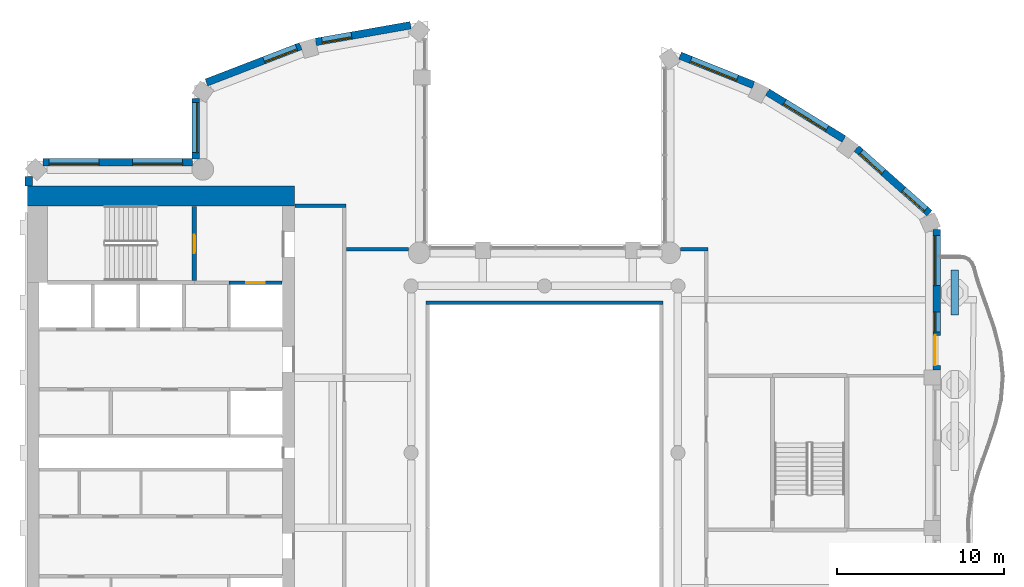
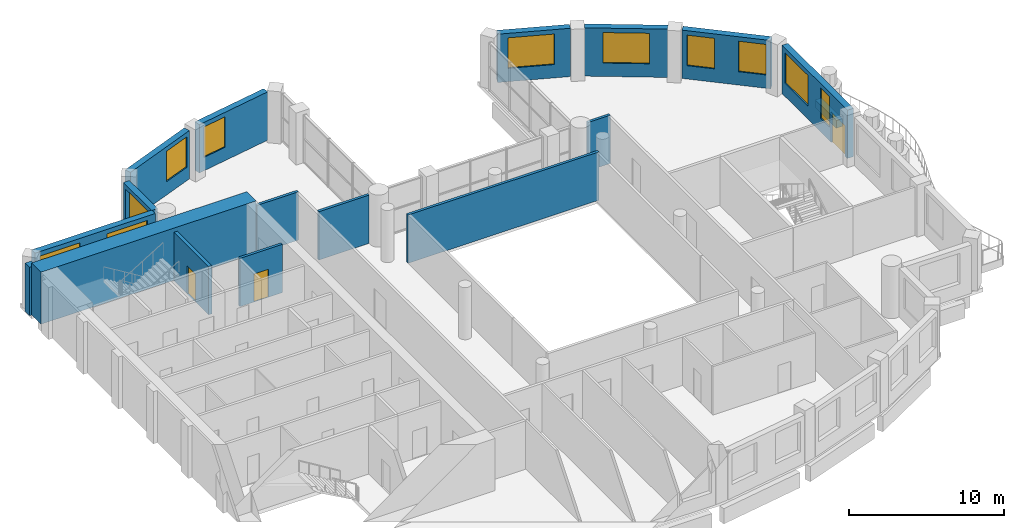
# One storey, part 7 of 14: 17 walls, 11 windows, 3 doors, 14 openings.
"""IFC4 building model written with IfcOpenShell, lengths in metres."""

import ifcopenshell
import ifcopenshell.guid

model = None  # the IFC model being written
_history = None  # IfcOwnerHistory: only IFC2X3 demands one
_inside = {}  # id of a spatial element -> (the spatial element, [elements in it])
_under = {}  # id of a project, library or spatial element -> (it, [spatial elements below it])
_declared = {}  # id of a project -> (the project, [libraries it declares])
_typed = {}  # id of a type object -> (the type object, [elements of that type])
_made_of = {}  # id of a material, layer set ... -> (it, [elements and type objects made of it])


def new_model(schema):
    """Start an empty IFC model of exactly this schema.

    Asked for "IFC4X3", IfcOpenShell would pick the latest addendum, in which some entities
    have other attributes; the version numbers below select the first issue.
    IFC2X3 requires an IfcOwnerHistory on every rooted entity: one is made here for all.
    """
    global model, _history
    if schema == "IFC4X3":
        model = ifcopenshell.file(schema_version=(4, 3, 0, 0))
    else:
        model = ifcopenshell.file(schema=schema)
    _inside.clear()
    _under.clear()
    _declared.clear()
    _typed.clear()
    _made_of.clear()
    _history = None
    if model.schema == "IFC2X3":
        org = make("IfcOrganization", Name="unknown")
        user = make(
            "IfcPersonAndOrganization",
            ThePerson=make("IfcPerson", FamilyName="unknown"),
            TheOrganization=org,
        )
        app = make(
            "IfcApplication",
            ApplicationDeveloper=org,
            Version="unknown",
            ApplicationFullName="unknown",
            ApplicationIdentifier="unknown",
        )
        _history = make(
            "IfcOwnerHistory",
            OwningUser=user,
            OwningApplication=app,
            ChangeAction="ADDED",
            CreationDate=0,
        )
    return model


def make(cls, **values):
    """One entity of the class cls with the attributes given. An attribute that is None is left unset."""
    return model.create_entity(
        cls, **{name: value for name, value in values.items() if value is not None}
    )


def rooted(cls, **values):
    """An entity with a GlobalId (a new one), such as an element, a storey or a relation."""
    return make(cls, GlobalId=ifcopenshell.guid.new(), OwnerHistory=_history, **values)


def si_unit(unit_type, name, prefix=None):
    """IfcSIUnit, for example si_unit("LENGTHUNIT", "METRE", prefix="MILLI")."""
    return make("IfcSIUnit", UnitType=unit_type, Prefix=prefix, Name=name)


def assignment(units):
    """IfcUnitAssignment: the units of a project."""
    return None if units is None else make("IfcUnitAssignment", Units=units)


def point(xyz):
    """IfcCartesianPoint."""
    return None if xyz is None else make("IfcCartesianPoint", Coordinates=xyz)


def direction(xyz):
    """IfcDirection."""
    return None if xyz is None else make("IfcDirection", DirectionRatios=xyz)


def frame(location, z_axis=None, x_axis=None):
    """IfcAxis2Placement3D, a coordinate frame: its origin and axes. An axis left out is left unset."""
    return make(
        "IfcAxis2Placement3D",
        Location=point(location),
        Axis=direction(z_axis),
        RefDirection=direction(x_axis),
    )


def frame_2d(location, x_axis=None):
    """IfcAxis2Placement2D, a coordinate frame in the plane: its origin and x axis."""
    return make(
        "IfcAxis2Placement2D", Location=point(location), RefDirection=direction(x_axis)
    )


def origin():
    """The frame at (0, 0, 0) with its axes left unset."""
    return frame((0.0, 0.0, 0.0))


def place(relative_to, where):
    """IfcLocalPlacement: puts the frame where relative to a parent placement (None: the world)."""
    return make(
        "IfcLocalPlacement", PlacementRelTo=relative_to, RelativePlacement=where
    )


def context(
    kind, dimensions, precision=None, world=None, true_north=None, identifier=None
):
    """IfcGeometricRepresentationContext, for example the 3D "Model" context."""
    return make(
        "IfcGeometricRepresentationContext",
        ContextIdentifier=identifier,
        ContextType=kind,
        CoordinateSpaceDimension=dimensions,
        Precision=precision,
        WorldCoordinateSystem=world,
        TrueNorth=true_north,
    )


def subcontext(parent, identifier, kind, view, scale=None):
    """IfcGeometricRepresentationSubContext, for example "Body" below "Model"."""
    return make(
        "IfcGeometricRepresentationSubContext",
        ContextIdentifier=identifier,
        ContextType=kind,
        ParentContext=parent,
        TargetScale=scale,
        TargetView=view,
    )


def project(units=None, contexts=None):
    """IfcProject with its units and contexts."""
    return rooted(
        "IfcProject",
        Name="project",
        RepresentationContexts=contexts,
        UnitsInContext=assignment(units),
    )


def spatial(cls, under=None, at=None, **own):
    """A site, building, storey or space (cls), placed at a placement, below another one or the project."""
    s = rooted(cls, ObjectPlacement=at, **own)
    if under is not None:
        _under.setdefault(under.id(), (under, []))[1].append(s)
    return s


def profile(cls, at=None, kind="AREA", **sizes):
    """A parametric profile (cls). Its sizes go by their IFC names, for example OverallWidth=200.0."""
    return make(cls, ProfileType=kind, Position=at, **sizes)


def rectangle(**sizes):
    """IfcRectangleProfileDef."""
    return profile("IfcRectangleProfileDef", **sizes)


def extrude(swept, where, along, depth):
    """IfcExtrudedAreaSolid: the profile swept, set in the frame where, extruded along a direction by depth."""
    return make(
        "IfcExtrudedAreaSolid",
        SweptArea=swept,
        Position=where,
        ExtrudedDirection=direction(along),
        Depth=depth,
    )


def shape(context_of_items, identifier, shape_type, items):
    """IfcShapeRepresentation: the items that make up one representation, for example the "Body"."""
    return make(
        "IfcShapeRepresentation",
        ContextOfItems=context_of_items,
        RepresentationIdentifier=identifier,
        RepresentationType=shape_type,
        Items=items,
    )


def material(Name=None, Category=None):
    """IfcMaterial."""
    return make("IfcMaterial", Name=Name, Category=Category)


def layer(
    of_material, thickness, ventilated=None, Name=None, Category=None, Priority=None
):
    """IfcMaterialLayer: one layer of a wall or slab, of a material (None: an air gap)."""
    return make(
        "IfcMaterialLayer",
        Material=of_material,
        LayerThickness=thickness,
        IsVentilated=ventilated,
        Name=Name,
        Category=Category,
        Priority=Priority,
    )


def layer_set(layers, Name=None):
    """IfcMaterialLayerSet."""
    return make("IfcMaterialLayerSet", MaterialLayers=layers, LayerSetName=Name)


def made_of(thing, what):
    """Note that an element or type object is made of a material, layer set ...; save() writes the relation."""
    if what is not None:
        _made_of.setdefault(what.id(), (what, []))[1].append(thing)
    return thing


def type_object(cls, material=None, **own):
    """A type object (cls), such as IfcWallType, which elements share."""
    return made_of(rooted(cls, **own), material)


def element(
    cls,
    number,
    at=None,
    inside=None,
    cuts=None,
    type_object=None,
    material=None,
    context=None,
    identifier="Body",
    shape_type=None,
    held_by="IfcProductDefinitionShape",
    body=None,
    shapes=None,
    **own,
):
    """One element of the class cls, such as IfcWall. Its Tag is "e" and its number.

    at: its placement. inside: the storey or other place that contains it. cuts: it is an
    opening in that element (IfcRelVoidsElement). A single representation is given by context,
    identifier, shape_type and body (its items); several are given by shapes. held_by: the class
    of the entity that holds the representations. save() writes the other relations.
    """
    e = rooted(cls, Tag="e%d" % number, ObjectPlacement=at, **own)
    if body is not None:
        shapes = [shape(context, identifier, shape_type, body)]
    if shapes is not None:
        e.Representation = make(held_by, Representations=shapes)
    if inside is not None:
        _inside.setdefault(inside.id(), (inside, []))[1].append(e)
    if cuts is not None:
        rooted(
            "IfcRelVoidsElement", RelatingBuildingElement=cuts, RelatedOpeningElement=e
        )
    if type_object is not None:
        _typed.setdefault(type_object.id(), (type_object, []))[1].append(e)
    return made_of(e, material)


def fill(opening, filler):
    """IfcRelFillsElement: the door or window that sits in an opening."""
    return rooted(
        "IfcRelFillsElement",
        RelatingOpeningElement=opening,
        RelatedBuildingElement=filler,
    )


def aggregate(whole, parts):
    """IfcRelAggregates: a whole, such as a stair, and the parts it consists of."""
    return rooted("IfcRelAggregates", RelatingObject=whole, RelatedObjects=parts)


def save(model, path):
    """Write the relations noted so far, then the file.

    IfcRelAggregates (storeys below a building ...), IfcRelContainedInSpatialStructure (elements
    in a storey), IfcRelDefinesByType, IfcRelAssociatesMaterial and IfcRelDeclares: one each for
    every whole, place, type object, material and project.
    """
    for whole, parts in _under.values():
        aggregate(whole, parts)
    for where, things in _inside.values():
        rooted(
            "IfcRelContainedInSpatialStructure",
            RelatedElements=things,
            RelatingStructure=where,
        )
    for kind, things in _typed.values():
        rooted("IfcRelDefinesByType", RelatedObjects=things, RelatingType=kind)
    for what, things in _made_of.values():
        rooted("IfcRelAssociatesMaterial", RelatedObjects=things, RelatingMaterial=what)
    for by, libraries in _declared.values():
        rooted("IfcRelDeclares", RelatingContext=by, RelatedDefinitions=libraries)
    model.write(path)


model = new_model("IFC4")

# Units and contexts
model_context = context("Model", 3, precision=1e-05, world=origin(), true_north=direction((0.0, 1.0)))
body_context = subcontext(model_context, "Body", "Model", "MODEL_VIEW")
ifc_project = project(units=[si_unit("LENGTHUNIT", "METRE"), si_unit("AREAUNIT", "SQUARE_METRE"), si_unit("VOLUMEUNIT", "CUBIC_METRE"), si_unit("PLANEANGLEUNIT", "RADIAN"), si_unit("MASSUNIT", "GRAM", prefix="KILO")], contexts=[model_context])

# Site, building, storey
site_placement = place(None, origin())
site = spatial("IfcSite", under=ifc_project, at=site_placement, CompositionType="ELEMENT")
building_placement = place(site_placement, origin())
building = spatial("IfcBuilding", under=site, at=building_placement, Name="Cypress Arch Tower", CompositionType="ELEMENT")
storey_placement = place(building_placement, frame((0.0, 0.0, 276.199951171875)))
storey = spatial("IfcBuildingStorey", under=building, at=storey_placement, Name="L62", CompositionType="ELEMENT", Elevation=276.199951171875)

# Wall
ifc_material_1 = material(Name="Concrete C40/50, waterproofed", Category="concrete")
ifc_layer_1 = layer(ifc_material_1, 0.449951171875)
ifc_layer_set_1 = layer_set([ifc_layer_1], Name="Balcony planter wall PW450")
wall_type_1 = type_object("IfcWallType", Name="Balcony planter wall PW450", PredefinedType="SOLIDWALL", material=ifc_layer_set_1)
wall_1_placement = place(storey_placement, frame((25.60009765625, 8.25, 0.0), z_axis=(0.0, 0.0, 1.0), x_axis=(0.0, 1.0, 0.0)))
element("IfcWall", 1, at=wall_1_placement, inside=storey, type_object=wall_type_1, Name="Balcony planter wall L62-C17.3", PredefinedType="SOLIDWALL", context=body_context, shape_type="SweptSolid", body=[
    extrude(rectangle(XDim=2.699951171875, YDim=0.449951171875, at=frame_2d((1.35009765625, 0.0))), origin(), (0.0, 0.0, 1.0), 0.60009765625),
])

# Wall, opening, window
ifc_material_2 = material(Name="Brick (red buff blend)", Category="masonry")
ifc_layer_2 = layer(ifc_material_2, 0.449951171875)
ifc_layer_set_2 = layer_set([ifc_layer_2], Name="Brick pier and spandrel wall BW450")
wall_type_2 = type_object("IfcWallType", Name="Brick pier and spandrel wall BW450", PredefinedType="SOLIDWALL", material=ifc_layer_set_2)
wall_2_placement = place(storey_placement, frame((-7.028564453125, 25.63232421875, 0.0), z_axis=(0.0, 0.0, 1.0), x_axis=(-0.984797606634, -0.173705710808, 0.0)))
wall_2 = element("IfcWall", 2, at=wall_2_placement, inside=storey, type_object=wall_type_2, Name="Brick wall L62 C03.0", PredefinedType="SOLIDWALL", context=body_context, shape_type="SweptSolid", body=[
    extrude(rectangle(XDim=5.772216796875, YDim=0.449951171875, at=frame_2d((2.88623046875, 0.0))), origin(), (0.0, 0.0, 1.0), 3.800048828125),
])
opening_1_placement = place(wall_2_placement, frame((3.59326171875, 0.0, 1.050048828125)))
opening_1 = element("IfcOpeningElement", 3, at=opening_1_placement, cuts=wall_2, Name="Opening W180O", PredefinedType="OPENING", context=body_context, shape_type="SweptSolid", body=[
    extrude(rectangle(XDim=1.800048828125, YDim=2.39990234375, at=frame_2d((0.89990234375, 1.199951171875))), frame((0.0, 0.23486328125, 0.0), z_axis=(0.0, -1.0, 0.0), x_axis=(1.0, 0.0, 0.0)), (0.0, 0.0, 1.0), 0.469970703125),
])
ifc_material_3 = material(Name="Anodised aluminium, bronze finish, clear low-emissivity double glazing", Category="aluminium")
window_type_1 = type_object("IfcWindowType", Name="Window Office 1800x2400", PartitioningType="SINGLE_PANEL", PredefinedType="WINDOW", material=ifc_material_3)
window_1_placement = place(opening_1_placement, origin())
window_1 = element("IfcWindow", 4, at=window_1_placement, inside=storey, type_object=window_type_1, Name="Window L62 C03.0.2", OverallHeight=2.39990234375, OverallWidth=1.800048828125, PartitioningType="SINGLE_PANEL", PredefinedType="WINDOW", context=body_context, shape_type="SweptSolid", body=[
    extrude(rectangle(XDim=1.800048828125, YDim=2.39990234375, at=frame_2d((0.89990234375, 1.199951171875))), frame((0.0, 0.135009765625, 0.0), z_axis=(0.0, -1.0, 0.0), x_axis=(1.0, 0.0, 0.0)), (0.0, 0.0, 1.0), 0.06005859375),
])
fill(opening_1, window_1)

wall_3_placement = place(storey_placement, frame((-13.6220703125, 24.376953125, 0.0), z_axis=(0.0, 0.0, 1.0), x_axis=(-0.933129259679, -0.359541075164, 0.0)))
wall_3 = element("IfcWall", 5, at=wall_3_placement, inside=storey, type_object=wall_type_2, Name="Brick wall L62 C04.0", PredefinedType="SOLIDWALL", context=body_context, shape_type="SweptSolid", body=[
    extrude(rectangle(XDim=6.05419921875, YDim=0.449951171875, at=frame_2d((3.027099609375, 0.0))), origin(), (0.0, 0.0, 1.0), 3.800048828125),
])
opening_2_placement = place(wall_3_placement, frame((0.260986328125, 0.0, 1.050048828125)))
opening_2 = element("IfcOpeningElement", 6, at=opening_2_placement, cuts=wall_3, Name="Opening W210O", PredefinedType="OPENING", context=body_context, shape_type="SweptSolid", body=[
    extrude(rectangle(XDim=2.10009765625, YDim=2.39990234375, at=frame_2d((1.050048828125, 1.199951171875))), frame((0.0, 0.23486328125, 0.0), z_axis=(0.0, -1.0, 0.0), x_axis=(1.0, 0.0, 0.0)), (0.0, 0.0, 1.0), 0.469970703125),
])
ifc_material_4 = material(Name="Anodised aluminium, bronze finish, clear low-emissivity double glazing", Category="aluminium")
window_type_2 = type_object("IfcWindowType", Name="Window Office 2100x2400", PartitioningType="SINGLE_PANEL", PredefinedType="WINDOW", material=ifc_material_4)
window_2_placement = place(opening_2_placement, origin())
window_2 = element("IfcWindow", 7, at=window_2_placement, inside=storey, type_object=window_type_2, Name="Window L62 C04.0.1", OverallHeight=2.39990234375, OverallWidth=2.10009765625, PartitioningType="SINGLE_PANEL", PredefinedType="WINDOW", context=body_context, shape_type="SweptSolid", body=[
    extrude(rectangle(XDim=2.10009765625, YDim=2.39990234375, at=frame_2d((1.050048828125, 1.199951171875))), frame((0.0, 0.135009765625, 0.0), z_axis=(0.0, -1.0, 0.0), x_axis=(1.0, 0.0, 0.0)), (0.0, 0.0, 1.0), 0.06005859375),
])
fill(opening_2, window_2)

wall_4_placement = place(storey_placement, frame((-19.925048828125, 21.248291015625, 0.0), z_axis=(0.0, 0.0, 1.0), x_axis=(0.0, -1.0, 0.0)))
wall_4 = element("IfcWall", 8, at=wall_4_placement, inside=storey, type_object=wall_type_2, Name="Brick wall L62 C05.0", PredefinedType="SOLIDWALL", context=body_context, shape_type="SweptSolid", body=[
    extrude(rectangle(XDim=3.646728515625, YDim=0.449951171875, at=frame_2d((1.8232421875, 0.0))), origin(), (0.0, 0.0, 1.0), 3.800048828125),
])
opening_3_placement = place(wall_4_placement, frame((0.251220703125, 0.0, 1.050048828125)))
opening_3 = element("IfcOpeningElement", 9, at=opening_3_placement, cuts=wall_4, Name="Opening W300O", PredefinedType="OPENING", context=body_context, shape_type="SweptSolid", body=[
    extrude(rectangle(XDim=3.0, YDim=2.39990234375, at=frame_2d((1.5, 1.199951171875))), frame((0.0, 0.23486328125, 0.0), z_axis=(0.0, -1.0, 0.0), x_axis=(1.0, 0.0, 0.0)), (0.0, 0.0, 1.0), 0.469970703125),
])
ifc_material_5 = material(Name="Anodised aluminium, bronze finish, clear low-emissivity double glazing", Category="aluminium")
window_type_3 = type_object("IfcWindowType", Name="Window Office 3000x2400", PartitioningType="SINGLE_PANEL", PredefinedType="WINDOW", material=ifc_material_5)
window_3_placement = place(opening_3_placement, origin())
window_3 = element("IfcWindow", 10, at=window_3_placement, inside=storey, type_object=window_type_3, Name="Window L62 C05.0.1", OverallHeight=2.39990234375, OverallWidth=3.0, PartitioningType="SINGLE_PANEL", PredefinedType="WINDOW", context=body_context, shape_type="SweptSolid", body=[
    extrude(rectangle(XDim=3.0, YDim=2.39990234375, at=frame_2d((1.5, 1.199951171875))), frame((0.0, 0.135009765625, 0.0), z_axis=(0.0, -1.0, 0.0), x_axis=(1.0, 0.0, 0.0)), (0.0, 0.0, 1.0), 0.06005859375),
])
fill(opening_3, window_3)

# Wall, openings, windows
wall_5_placement = place(storey_placement, frame((-20.1015625, 17.425048828125, 0.0), z_axis=(0.0, 0.0, 1.0), x_axis=(-1.0, 0.0, 0.0)))
wall_5 = element("IfcWall", 11, at=wall_5_placement, inside=storey, type_object=wall_type_2, Name="Brick wall L62 C06.0", PredefinedType="SOLIDWALL", context=body_context, shape_type="SweptSolid", body=[
    extrude(rectangle(XDim=8.962158203125, YDim=0.449951171875, at=frame_2d((4.48095703125, 0.0))), origin(), (0.0, 0.0, 1.0), 3.800048828125),
])
opening_4_placement = place(wall_5_placement, frame((0.598388671875, 0.0, 1.050048828125)))
opening_4 = element("IfcOpeningElement", 12, at=opening_4_placement, cuts=wall_5, Name="Opening W300O", PredefinedType="OPENING", context=body_context, shape_type="SweptSolid", body=[
    extrude(rectangle(XDim=3.0, YDim=2.39990234375, at=frame_2d((1.5, 1.199951171875))), frame((0.0, 0.23486328125, 0.0), z_axis=(0.0, -1.0, 0.0), x_axis=(1.0, 0.0, 0.0)), (0.0, 0.0, 1.0), 0.469970703125),
])
opening_5_placement = place(wall_5_placement, frame((5.598388671875, 0.0, 1.050048828125)))
opening_5 = element("IfcOpeningElement", 13, at=opening_5_placement, cuts=wall_5, Name="Opening W300O", PredefinedType="OPENING", context=body_context, shape_type="SweptSolid", body=[
    extrude(rectangle(XDim=3.0, YDim=2.39990234375, at=frame_2d((1.5, 1.199951171875))), frame((0.0, 0.23486328125, 0.0), z_axis=(0.0, -1.0, 0.0), x_axis=(1.0, 0.0, 0.0)), (0.0, 0.0, 1.0), 0.469970703125),
])
window_4_placement = place(opening_4_placement, origin())
window_4 = element("IfcWindow", 14, at=window_4_placement, inside=storey, type_object=window_type_3, Name="Window L62 C06.0.1", OverallHeight=2.39990234375, OverallWidth=3.0, PartitioningType="SINGLE_PANEL", PredefinedType="WINDOW", context=body_context, shape_type="SweptSolid", body=[
    extrude(rectangle(XDim=3.0, YDim=2.39990234375, at=frame_2d((1.5, 1.199951171875))), frame((0.0, 0.135009765625, 0.0), z_axis=(0.0, -1.0, 0.0), x_axis=(1.0, 0.0, 0.0)), (0.0, 0.0, 1.0), 0.06005859375),
])
fill(opening_4, window_4)
window_5_placement = place(opening_5_placement, origin())
window_5 = element("IfcWindow", 15, at=window_5_placement, inside=storey, type_object=window_type_3, Name="Window L62 C06.0.2", OverallHeight=2.39990234375, OverallWidth=3.0, PartitioningType="SINGLE_PANEL", PredefinedType="WINDOW", context=body_context, shape_type="SweptSolid", body=[
    extrude(rectangle(XDim=3.0, YDim=2.39990234375, at=frame_2d((1.5, 1.199951171875))), frame((0.0, 0.135009765625, 0.0), z_axis=(0.0, -1.0, 0.0), x_axis=(1.0, 0.0, 0.0)), (0.0, 0.0, 1.0), 0.06005859375),
])
fill(opening_5, window_5)

# Wall
wall_6_placement = place(storey_placement, frame((-29.925048828125, 16.563720703125, 0.0), z_axis=(0.0, 0.0, 1.0), x_axis=(0.0, -1.0, 0.0)))
element("IfcWall", 16, at=wall_6_placement, inside=storey, type_object=wall_type_2, Name="Brick wall L62 C07.0", PredefinedType="SOLIDWALL", context=body_context, shape_type="SweptSolid", body=[
    extrude(rectangle(XDim=0.563720703125, YDim=0.449951171875, at=frame_2d((0.28173828125, 0.0))), origin(), (0.0, 0.0, 1.0), 3.800048828125),
])

# Wall, openings, door, windows
wall_7_placement = place(storey_placement, frame((24.52490234375, 4.949951171875, 0.0), z_axis=(0.0, 0.0, 1.0), x_axis=(0.0, 1.0, 0.0)))
wall_7 = element("IfcWall", 17, at=wall_7_placement, inside=storey, type_object=wall_type_2, Name="Brick wall L62 C17.2", PredefinedType="SOLIDWALL", context=body_context, shape_type="SweptSolid", body=[
    extrude(rectangle(XDim=8.421875, YDim=0.449951171875, at=frame_2d((4.2109375, 0.0))), origin(), (0.0, 0.0, 1.0), 3.800048828125),
])
opening_6_placement = place(wall_7_placement, frame((0.291259765625, 0.0, 0.0)))
opening_6 = element("IfcOpeningElement", 18, at=opening_6_placement, cuts=wall_7, Name="Opening D-L62-C17.2.1", PredefinedType="OPENING", context=body_context, shape_type="SweptSolid", body=[
    extrude(rectangle(XDim=1.800048828125, YDim=2.39990234375, at=frame_2d((0.89990234375, 1.199951171875))), frame((0.0, 0.23486328125, 0.0), z_axis=(0.0, -1.0, 0.0), x_axis=(1.0, 0.0, 0.0)), (0.0, 0.0, 1.0), 0.469970703125),
])
opening_7_placement = place(wall_7_placement, frame((2.291259765625, 0.0, 1.050048828125)))
opening_7 = element("IfcOpeningElement", 19, at=opening_7_placement, cuts=wall_7, Name="Opening W120OD", PredefinedType="OPENING", context=body_context, shape_type="SweptSolid", body=[
    extrude(rectangle(XDim=1.199951171875, YDim=2.39990234375, at=frame_2d((0.60009765625, 1.199951171875))), frame((0.0, 0.23486328125, 0.0), z_axis=(0.0, -1.0, 0.0), x_axis=(1.0, 0.0, 0.0)), (0.0, 0.0, 1.0), 0.469970703125),
])
opening_8_placement = place(wall_7_placement, frame((5.073974609375, 0.0, 1.050048828125)))
opening_8 = element("IfcOpeningElement", 20, at=opening_8_placement, cuts=wall_7, Name="Opening W300OD", PredefinedType="OPENING", context=body_context, shape_type="SweptSolid", body=[
    extrude(rectangle(XDim=3.0, YDim=2.39990234375, at=frame_2d((1.5, 1.199951171875))), frame((0.0, 0.23486328125, 0.0), z_axis=(0.0, -1.0, 0.0), x_axis=(1.0, 0.0, 0.0)), (0.0, 0.0, 1.0), 0.469970703125),
])
ifc_material_6 = material(Name="Anodised aluminium, bronze finish, laminated low-emissivity double glazing, large-missile impact rated", Category="aluminium")
door_type_1 = type_object("IfcDoorType", Name="Balcony sliding door 1800x2400", OperationType="SLIDING_TO_LEFT", PredefinedType="DOOR", material=ifc_material_6)
door_1_placement = place(opening_6_placement, origin())
door_1 = element("IfcDoor", 21, at=door_1_placement, inside=storey, type_object=door_type_1, Name="Balcony door L62 C17.2.1", OperationType="SLIDING_TO_LEFT", OverallHeight=2.39990234375, OverallWidth=1.800048828125, PredefinedType="DOOR", context=body_context, shape_type="SweptSolid", body=[
    extrude(rectangle(XDim=1.800048828125, YDim=2.39990234375, at=frame_2d((0.89990234375, 1.199951171875))), frame((0.0, 0.1298828125, 0.0), z_axis=(0.0, -1.0, 0.0), x_axis=(1.0, 0.0, 0.0)), (0.0, 0.0, 1.0), 0.050048828125),
])
fill(opening_6, door_1)
ifc_material_7 = material(Name="Anodised aluminium, bronze finish, laminated low-emissivity double glazing, large-missile impact rated", Category="aluminium")
window_type_4 = type_object("IfcWindowType", Name="Window Office 1200x2400 debris-rated", PartitioningType="SINGLE_PANEL", PredefinedType="WINDOW", material=ifc_material_7)
window_6_placement = place(opening_7_placement, origin())
window_6 = element("IfcWindow", 22, at=window_6_placement, inside=storey, type_object=window_type_4, Name="Window L62 C17.2.1", OverallHeight=2.39990234375, OverallWidth=1.199951171875, PartitioningType="SINGLE_PANEL", PredefinedType="WINDOW", context=body_context, shape_type="SweptSolid", body=[
    extrude(rectangle(XDim=1.199951171875, YDim=2.39990234375, at=frame_2d((0.60009765625, 1.199951171875))), frame((0.0, 0.135009765625, 0.0), z_axis=(0.0, -1.0, 0.0), x_axis=(1.0, 0.0, 0.0)), (0.0, 0.0, 1.0), 0.06005859375),
])
fill(opening_7, window_6)
ifc_material_8 = material(Name="Anodised aluminium, bronze finish, laminated low-emissivity double glazing, large-missile impact rated", Category="aluminium")
window_type_5 = type_object("IfcWindowType", Name="Window Office 3000x2400 debris-rated", PartitioningType="SINGLE_PANEL", PredefinedType="WINDOW", material=ifc_material_8)
window_7_placement = place(opening_8_placement, origin())
window_7 = element("IfcWindow", 23, at=window_7_placement, inside=storey, type_object=window_type_5, Name="Window L62 C17.2.2", OverallHeight=2.39990234375, OverallWidth=3.0, PartitioningType="SINGLE_PANEL", PredefinedType="WINDOW", context=body_context, shape_type="SweptSolid", body=[
    extrude(rectangle(XDim=3.0, YDim=2.39990234375, at=frame_2d((1.5, 1.199951171875))), frame((0.0, 0.135009765625, 0.0), z_axis=(0.0, -1.0, 0.0), x_axis=(1.0, 0.0, 0.0)), (0.0, 0.0, 1.0), 0.06005859375),
])
fill(opening_8, window_7)

# Wall, openings, windows
wall_8_placement = place(storey_placement, frame((24.08056640625, 14.361083984375, 0.0), z_axis=(0.0, 0.0, 1.0), x_axis=(-0.747570482973, 0.664182484704, 0.0)))
wall_8 = element("IfcWall", 24, at=wall_8_placement, inside=storey, type_object=wall_type_2, Name="Brick wall L62 C18.0", PredefinedType="SOLIDWALL", context=body_context, shape_type="SweptSolid", body=[
    extrude(rectangle(XDim=5.849609375, YDim=0.449951171875, at=frame_2d((2.9248046875, 0.0))), origin(), (0.0, 0.0, 1.0), 3.800048828125),
])
opening_9_placement = place(wall_8_placement, frame((0.305419921875, 0.0, 1.050048828125)))
opening_9 = element("IfcOpeningElement", 25, at=opening_9_placement, cuts=wall_8, Name="Opening W180O", PredefinedType="OPENING", context=body_context, shape_type="SweptSolid", body=[
    extrude(rectangle(XDim=1.800048828125, YDim=2.39990234375, at=frame_2d((0.89990234375, 1.199951171875))), frame((0.0, 0.23486328125, 0.0), z_axis=(0.0, -1.0, 0.0), x_axis=(1.0, 0.0, 0.0)), (0.0, 0.0, 1.0), 0.469970703125),
])
opening_10_placement = place(wall_8_placement, frame((3.702880859375, 0.0, 1.050048828125)))
opening_10 = element("IfcOpeningElement", 26, at=opening_10_placement, cuts=wall_8, Name="Opening W180O", PredefinedType="OPENING", context=body_context, shape_type="SweptSolid", body=[
    extrude(rectangle(XDim=1.800048828125, YDim=2.39990234375, at=frame_2d((0.89990234375, 1.199951171875))), frame((0.0, 0.23486328125, 0.0), z_axis=(0.0, -1.0, 0.0), x_axis=(1.0, 0.0, 0.0)), (0.0, 0.0, 1.0), 0.469970703125),
])
window_8_placement = place(opening_9_placement, origin())
window_8 = element("IfcWindow", 27, at=window_8_placement, inside=storey, type_object=window_type_1, Name="Window L62 C18.0.1", OverallHeight=2.39990234375, OverallWidth=1.800048828125, PartitioningType="SINGLE_PANEL", PredefinedType="WINDOW", context=body_context, shape_type="SweptSolid", body=[
    extrude(rectangle(XDim=1.800048828125, YDim=2.39990234375, at=frame_2d((0.89990234375, 1.199951171875))), frame((0.0, 0.135009765625, 0.0), z_axis=(0.0, -1.0, 0.0), x_axis=(1.0, 0.0, 0.0)), (0.0, 0.0, 1.0), 0.06005859375),
])
fill(opening_9, window_8)
window_9_placement = place(opening_10_placement, origin())
window_9 = element("IfcWindow", 28, at=window_9_placement, inside=storey, type_object=window_type_1, Name="Window L62 C18.0.2", OverallHeight=2.39990234375, OverallWidth=1.800048828125, PartitioningType="SINGLE_PANEL", PredefinedType="WINDOW", context=body_context, shape_type="SweptSolid", body=[
    extrude(rectangle(XDim=1.800048828125, YDim=2.39990234375, at=frame_2d((0.89990234375, 1.199951171875))), frame((0.0, 0.135009765625, 0.0), z_axis=(0.0, -1.0, 0.0), x_axis=(1.0, 0.0, 0.0)), (0.0, 0.0, 1.0), 0.06005859375),
])
fill(opening_10, window_9)

# Wall, opening, window
wall_9_placement = place(storey_placement, frame((18.953369140625, 18.806396484375, 0.0), z_axis=(0.0, 0.0, 1.0), x_axis=(-0.851860664503, 0.523768468193, 0.0)))
wall_9 = element("IfcWall", 29, at=wall_9_placement, inside=storey, type_object=wall_type_2, Name="Brick wall L62 C19.0", PredefinedType="SOLIDWALL", context=body_context, shape_type="SweptSolid", body=[
    extrude(rectangle(XDim=5.3837890625, YDim=0.449951171875, at=frame_2d((2.69189453125, 0.0))), origin(), (0.0, 0.0, 1.0), 3.800048828125),
])
opening_11_placement = place(wall_9_placement, frame((1.19189453125, 0.0, 1.050048828125)))
opening_11 = element("IfcOpeningElement", 30, at=opening_11_placement, cuts=wall_9, Name="Opening W300O", PredefinedType="OPENING", context=body_context, shape_type="SweptSolid", body=[
    extrude(rectangle(XDim=3.0, YDim=2.39990234375, at=frame_2d((1.5, 1.199951171875))), frame((0.0, 0.23486328125, 0.0), z_axis=(0.0, -1.0, 0.0), x_axis=(1.0, 0.0, 0.0)), (0.0, 0.0, 1.0), 0.469970703125),
])
window_10_placement = place(opening_11_placement, origin())
window_10 = element("IfcWindow", 31, at=window_10_placement, inside=storey, type_object=window_type_3, Name="Window L62 C19.0.1", OverallHeight=2.39990234375, OverallWidth=3.0, PartitioningType="SINGLE_PANEL", PredefinedType="WINDOW", context=body_context, shape_type="SweptSolid", body=[
    extrude(rectangle(XDim=3.0, YDim=2.39990234375, at=frame_2d((1.5, 1.199951171875))), frame((0.0, 0.135009765625, 0.0), z_axis=(0.0, -1.0, 0.0), x_axis=(1.0, 0.0, 0.0)), (0.0, 0.0, 1.0), 0.06005859375),
])
fill(opening_11, window_10)

wall_10_placement = place(storey_placement, frame((13.529296875, 22.04833984375, 0.0), z_axis=(0.0, 0.0, 1.0), x_axis=(-0.927957332619, 0.372686448424, 0.0)))
wall_10 = element("IfcWall", 32, at=wall_10_placement, inside=storey, type_object=wall_type_2, Name="Brick wall L62 C20.0", PredefinedType="SOLIDWALL", context=body_context, shape_type="SweptSolid", body=[
    extrude(rectangle(XDim=4.741455078125, YDim=0.449951171875, at=frame_2d((2.37060546875, 0.0))), origin(), (0.0, 0.0, 1.0), 3.800048828125),
])
opening_12_placement = place(wall_10_placement, frame((1.046630859375, 0.0, 1.050048828125)))
opening_12 = element("IfcOpeningElement", 33, at=opening_12_placement, cuts=wall_10, Name="Opening W300O", PredefinedType="OPENING", context=body_context, shape_type="SweptSolid", body=[
    extrude(rectangle(XDim=3.0, YDim=2.39990234375, at=frame_2d((1.5, 1.199951171875))), frame((0.0, 0.23486328125, 0.0), z_axis=(0.0, -1.0, 0.0), x_axis=(1.0, 0.0, 0.0)), (0.0, 0.0, 1.0), 0.469970703125),
])
window_11_placement = place(opening_12_placement, origin())
window_11 = element("IfcWindow", 34, at=window_11_placement, inside=storey, type_object=window_type_3, Name="Window L62 C20.0.1", OverallHeight=2.39990234375, OverallWidth=3.0, PartitioningType="SINGLE_PANEL", PredefinedType="WINDOW", context=body_context, shape_type="SweptSolid", body=[
    extrude(rectangle(XDim=3.0, YDim=2.39990234375, at=frame_2d((1.5, 1.199951171875))), frame((0.0, 0.135009765625, 0.0), z_axis=(0.0, -1.0, 0.0), x_axis=(1.0, 0.0, 0.0)), (0.0, 0.0, 1.0), 0.06005859375),
])
fill(opening_12, window_11)

# Walls
ifc_material_9 = material(Name="Concrete C60/75", Category="concrete")
ifc_layer_3 = layer(ifc_material_9, 1.199951171875)
ifc_layer_set_3 = layer_set([ifc_layer_3], Name="Core wall CW1200 C60/75")
wall_type_3 = type_object("IfcWallType", Name="Core wall CW1200 C60/75", PredefinedType="SHEAR", material=ifc_layer_set_3)
wall_11_placement = place(storey_placement, frame((-30.0, 15.39990234375, 0.0), z_axis=(0.0, 0.0, 1.0), x_axis=(1.0, 0.0, 0.0)))
element("IfcWall", 35, at=wall_11_placement, inside=storey, type_object=wall_type_3, Name="Core wall", PredefinedType="SHEAR", context=body_context, shape_type="SweptSolid", body=[
    extrude(rectangle(XDim=16.0, YDim=1.199951171875, at=frame_2d((8.0, 0.0))), origin(), (0.0, 0.0, 1.0), 4.10009765625),
])
ifc_material_10 = material(Name="Concrete blockwork, plastered, rated", Category="masonry")
ifc_layer_4 = layer(ifc_material_10, 0.199951171875)
ifc_layer_set_4 = layer_set([ifc_layer_4], Name="Corridor wall FW200")
wall_type_4 = type_object("IfcWallType", Name="Corridor wall FW200", PredefinedType="PARTITIONING", material=ifc_layer_set_4)
wall_12_placement = place(storey_placement, frame((-13.969970703125, 14.800048828125, 0.0), z_axis=(0.0, 0.0, 1.0), x_axis=(1.0, 0.0, 0.0)))
element("IfcWall", 36, at=wall_12_placement, inside=storey, type_object=wall_type_4, Name="Corridor wall", PredefinedType="PARTITIONING", context=body_context, shape_type="SweptSolid", body=[
    extrude(rectangle(XDim=3.070068359375, YDim=0.199951171875, at=frame_2d((1.53515625, 0.0))), origin(), (0.0, 0.0, 1.0), 3.800048828125),
])
wall_13_placement = place(storey_placement, frame((-10.8798828125, 12.199951171875, 0.0), z_axis=(0.0, 0.0, 1.0), x_axis=(1.0, 0.0, 0.0)))
element("IfcWall", 37, at=wall_13_placement, inside=storey, type_object=wall_type_4, Name="Corridor wall", PredefinedType="PARTITIONING", context=body_context, shape_type="SweptSolid", body=[
    extrude(rectangle(XDim=3.736083984375, YDim=0.199951171875, at=frame_2d((1.8681640625, 0.0))), origin(), (0.0, 0.0, 1.0), 3.800048828125),
])
wall_14_placement = place(storey_placement, frame((-6.10009765625, 9.0, 0.0), z_axis=(0.0, 0.0, 1.0), x_axis=(1.0, 0.0, 0.0)))
element("IfcWall", 38, at=wall_14_placement, inside=storey, type_object=wall_type_4, Name="Corridor wall", PredefinedType="PARTITIONING", context=body_context, shape_type="SweptSolid", body=[
    extrude(rectangle(XDim=14.2001953125, YDim=0.199951171875, at=frame_2d((7.10009765625, 0.0))), origin(), (0.0, 0.0, 1.0), 3.800048828125),
])
wall_15_placement = place(storey_placement, frame((9.143798828125, 12.199951171875, 0.0), z_axis=(0.0, 0.0, 1.0), x_axis=(1.0, 0.0, 0.0)))
element("IfcWall", 39, at=wall_15_placement, inside=storey, type_object=wall_type_4, Name="Corridor wall", PredefinedType="PARTITIONING", context=body_context, shape_type="SweptSolid", body=[
    extrude(rectangle(XDim=1.65625, YDim=0.199951171875, at=frame_2d((0.828125, 0.0))), origin(), (0.0, 0.0, 1.0), 3.800048828125),
])

# Wall, opening, door
ifc_material_11 = material(Name="Concrete C50/60", Category="concrete")
ifc_layer_5 = layer(ifc_material_11, 0.199951171875)
ifc_layer_set_5 = layer_set([ifc_layer_5], Name="Shaft wall SH200")
wall_type_5 = type_object("IfcWallType", Name="Shaft wall SH200", PredefinedType="SHEAR", material=ifc_layer_set_5)
wall_16_placement = place(storey_placement, frame((-17.919921875, 10.199951171875, 0.0), z_axis=(0.0, 0.0, 1.0), x_axis=(1.0, 0.0, 0.0)))
wall_16 = element("IfcWall", 40, at=wall_16_placement, inside=storey, type_object=wall_type_5, Name="Shaft wall", PredefinedType="SHEAR", context=body_context, shape_type="SweptSolid", body=[
    extrude(rectangle(XDim=3.18994140625, YDim=0.199951171875, at=frame_2d((1.594970703125, 0.0))), origin(), (0.0, 0.0, 1.0), 3.800048828125),
])
opening_13_placement = place(wall_16_placement, frame((1.050048828125, 0.0, 0.0)))
opening_13 = element("IfcOpeningElement", 41, at=opening_13_placement, cuts=wall_16, Name="Opening LD-FL2", PredefinedType="OPENING", context=body_context, shape_type="SweptSolid", body=[
    extrude(rectangle(XDim=1.10009765625, YDim=2.199951171875, at=frame_2d((0.550048828125, 1.10009765625))), frame((0.0, 0.10986328125, 0.0), z_axis=(0.0, -1.0, 0.0), x_axis=(1.0, 0.0, 0.0)), (0.0, 0.0, 1.0), 0.219970703125),
])
ifc_material_12 = material(Name="Stainless steel centre-opening landing door, rated", Category="steel")
door_type_2 = type_object("IfcDoorType", Name="Lift landing door LD 1100x2200", OperationType="DOUBLE_DOOR_SLIDING", PredefinedType="DOOR", material=ifc_material_12)
door_2_placement = place(opening_13_placement, origin())
door_2 = element("IfcDoor", 42, at=door_2_placement, inside=storey, type_object=door_type_2, Name="Lift landing doors FL2", OperationType="DOUBLE_DOOR_SLIDING", OverallHeight=2.199951171875, OverallWidth=1.10009765625, PredefinedType="DOOR", context=body_context, shape_type="SweptSolid", body=[
    extrude(rectangle(XDim=1.10009765625, YDim=2.199951171875, at=frame_2d((0.550048828125, 1.10009765625))), frame((0.0, 0.02490234375, 0.0), z_axis=(0.0, -1.0, 0.0), x_axis=(1.0, 0.0, 0.0)), (0.0, 0.0, 1.0), 0.050048828125),
])
fill(opening_13, door_2)

ifc_material_13 = material(Name="Concrete C50/60", Category="concrete")
ifc_layer_6 = layer(ifc_material_13, 0.25)
ifc_layer_set_6 = layer_set([ifc_layer_6], Name="Stair enclosure wall SW250")
wall_type_6 = type_object("IfcWallType", Name="Stair enclosure wall SW250", PredefinedType="SHEAR", material=ifc_layer_set_6)
wall_17_placement = place(storey_placement, frame((-20.0, 10.324951171875, 0.0), z_axis=(0.0, 0.0, 1.0), x_axis=(0.0, 1.0, 0.0)))
wall_17 = element("IfcWall", 43, at=wall_17_placement, inside=storey, type_object=wall_type_6, Name="Stair enclosure wall", PredefinedType="SHEAR", context=body_context, shape_type="SweptSolid", body=[
    extrude(rectangle(XDim=4.445068359375, YDim=0.25, at=frame_2d((2.22265625, 0.0))), origin(), (0.0, 0.0, 1.0), 3.800048828125),
])
opening_14_placement = place(wall_17_placement, frame((1.64990234375, 0.0, 0.0)))
opening_14 = element("IfcOpeningElement", 44, at=opening_14_placement, cuts=wall_17, Name="Opening D06", PredefinedType="OPENING", context=body_context, shape_type="SweptSolid", body=[
    extrude(rectangle(XDim=1.10009765625, YDim=2.199951171875, at=frame_2d((0.550048828125, 1.10009765625))), frame((0.0, 0.135009765625, 0.0), z_axis=(0.0, -1.0, 0.0), x_axis=(1.0, 0.0, 0.0)), (0.0, 0.0, 1.0), 0.27001953125),
])
ifc_material_14 = material(Name="Steel door, fire resisting, panic bar", Category="steel")
door_type_3 = type_object("IfcDoorType", Name="Stair door D06 1100x2200", OperationType="SINGLE_SWING_LEFT", PredefinedType="DOOR", material=ifc_material_14)
door_3_placement = place(opening_14_placement, origin())
door_3 = element("IfcDoor", 45, at=door_3_placement, inside=storey, type_object=door_type_3, Name="Stair door", OperationType="SINGLE_SWING_LEFT", OverallHeight=2.199951171875, OverallWidth=1.10009765625, PredefinedType="DOOR", context=body_context, shape_type="SweptSolid", body=[
    extrude(rectangle(XDim=1.10009765625, YDim=2.199951171875, at=frame_2d((0.550048828125, 1.10009765625))), frame((0.0, 0.02490234375, 0.0), z_axis=(0.0, -1.0, 0.0), x_axis=(1.0, 0.0, 0.0)), (0.0, 0.0, 1.0), 0.050048828125),
])
fill(opening_14, door_3)

save(model, "model.ifc")
